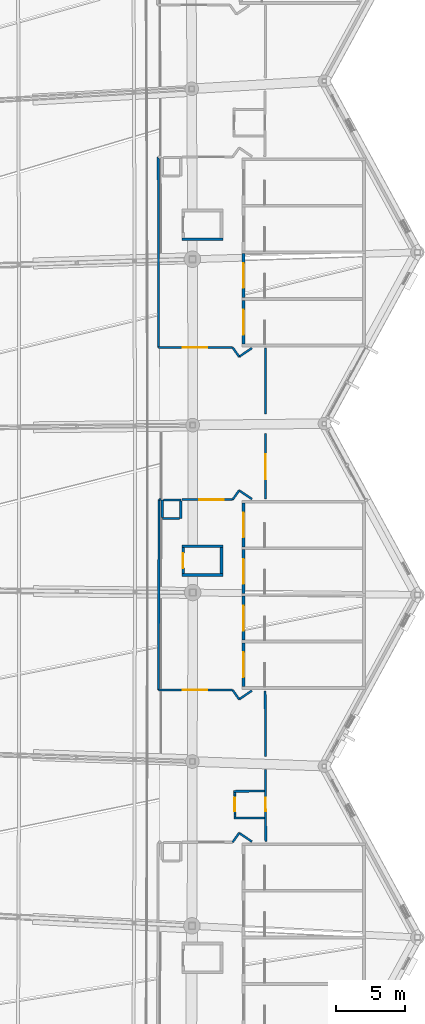
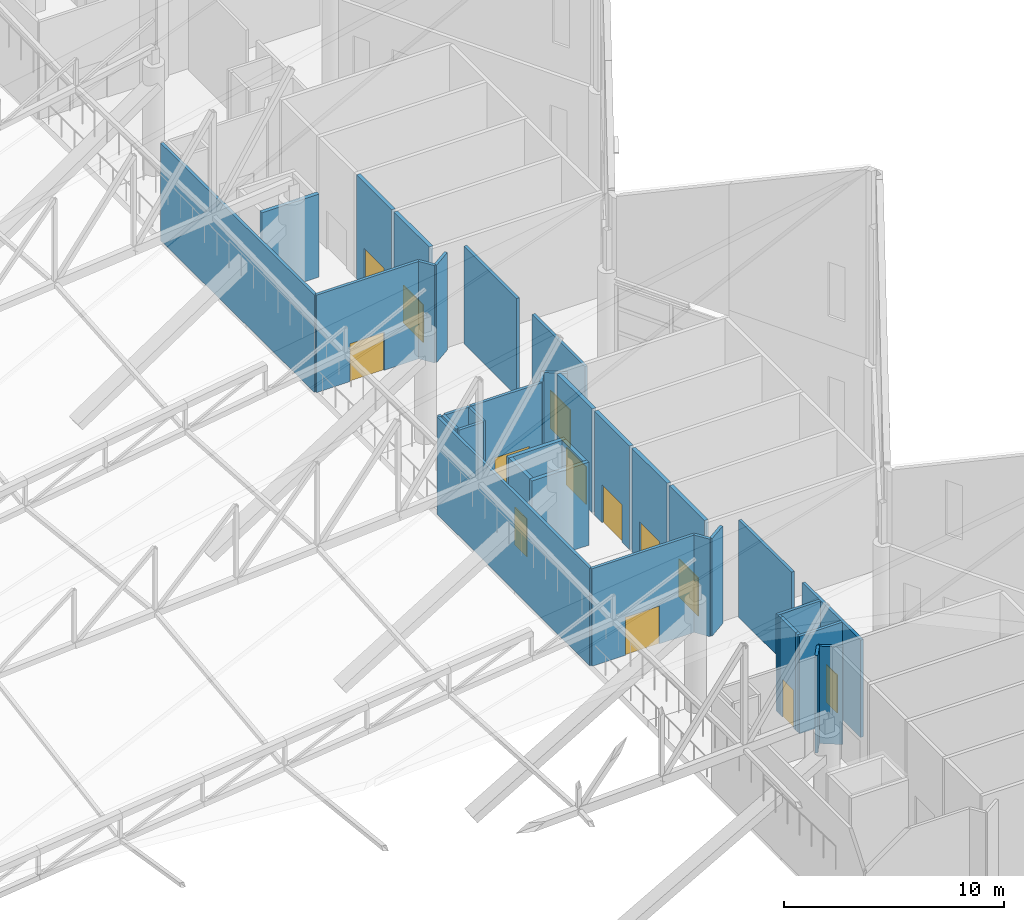
# One storey, part 258 of 344: 38 walls, 13 doors, 13 openings.
"""IFC4 building model written with IfcOpenShell, lengths in metres."""

import ifcopenshell
import ifcopenshell.guid

model = None  # the IFC model being written
_history = None  # IfcOwnerHistory: only IFC2X3 demands one
_inside = {}  # id of a spatial element -> (the spatial element, [elements in it])
_under = {}  # id of a project, library or spatial element -> (it, [spatial elements below it])
_declared = {}  # id of a project -> (the project, [libraries it declares])
_typed = {}  # id of a type object -> (the type object, [elements of that type])
_made_of = {}  # id of a material, layer set ... -> (it, [elements and type objects made of it])


def new_model(schema):
    """Start an empty IFC model of exactly this schema.

    Asked for "IFC4X3", IfcOpenShell would pick the latest addendum, in which some entities
    have other attributes; the version numbers below select the first issue.
    IFC2X3 requires an IfcOwnerHistory on every rooted entity: one is made here for all.
    """
    global model, _history
    if schema == "IFC4X3":
        model = ifcopenshell.file(schema_version=(4, 3, 0, 0))
    else:
        model = ifcopenshell.file(schema=schema)
    _inside.clear()
    _under.clear()
    _declared.clear()
    _typed.clear()
    _made_of.clear()
    _history = None
    if model.schema == "IFC2X3":
        org = make("IfcOrganization", Name="unknown")
        user = make(
            "IfcPersonAndOrganization",
            ThePerson=make("IfcPerson", FamilyName="unknown"),
            TheOrganization=org,
        )
        app = make(
            "IfcApplication",
            ApplicationDeveloper=org,
            Version="unknown",
            ApplicationFullName="unknown",
            ApplicationIdentifier="unknown",
        )
        _history = make(
            "IfcOwnerHistory",
            OwningUser=user,
            OwningApplication=app,
            ChangeAction="ADDED",
            CreationDate=0,
        )
    return model


def make(cls, **values):
    """One entity of the class cls with the attributes given. An attribute that is None is left unset."""
    return model.create_entity(
        cls, **{name: value for name, value in values.items() if value is not None}
    )


def rooted(cls, **values):
    """An entity with a GlobalId (a new one), such as an element, a storey or a relation."""
    return make(cls, GlobalId=ifcopenshell.guid.new(), OwnerHistory=_history, **values)


def si_unit(unit_type, name, prefix=None):
    """IfcSIUnit, for example si_unit("LENGTHUNIT", "METRE", prefix="MILLI")."""
    return make("IfcSIUnit", UnitType=unit_type, Prefix=prefix, Name=name)


def assignment(units):
    """IfcUnitAssignment: the units of a project."""
    return None if units is None else make("IfcUnitAssignment", Units=units)


def point(xyz):
    """IfcCartesianPoint."""
    return None if xyz is None else make("IfcCartesianPoint", Coordinates=xyz)


def direction(xyz):
    """IfcDirection."""
    return None if xyz is None else make("IfcDirection", DirectionRatios=xyz)


def frame(location, z_axis=None, x_axis=None):
    """IfcAxis2Placement3D, a coordinate frame: its origin and axes. An axis left out is left unset."""
    return make(
        "IfcAxis2Placement3D",
        Location=point(location),
        Axis=direction(z_axis),
        RefDirection=direction(x_axis),
    )


def frame_2d(location, x_axis=None):
    """IfcAxis2Placement2D, a coordinate frame in the plane: its origin and x axis."""
    return make(
        "IfcAxis2Placement2D", Location=point(location), RefDirection=direction(x_axis)
    )


def origin():
    """The frame at (0, 0, 0) with its axes left unset."""
    return frame((0.0, 0.0, 0.0))


def place(relative_to, where):
    """IfcLocalPlacement: puts the frame where relative to a parent placement (None: the world)."""
    return make(
        "IfcLocalPlacement", PlacementRelTo=relative_to, RelativePlacement=where
    )


def context(
    kind, dimensions, precision=None, world=None, true_north=None, identifier=None
):
    """IfcGeometricRepresentationContext, for example the 3D "Model" context."""
    return make(
        "IfcGeometricRepresentationContext",
        ContextIdentifier=identifier,
        ContextType=kind,
        CoordinateSpaceDimension=dimensions,
        Precision=precision,
        WorldCoordinateSystem=world,
        TrueNorth=true_north,
    )


def subcontext(parent, identifier, kind, view, scale=None):
    """IfcGeometricRepresentationSubContext, for example "Body" below "Model"."""
    return make(
        "IfcGeometricRepresentationSubContext",
        ContextIdentifier=identifier,
        ContextType=kind,
        ParentContext=parent,
        TargetScale=scale,
        TargetView=view,
    )


def project(units=None, contexts=None):
    """IfcProject with its units and contexts."""
    return rooted(
        "IfcProject",
        Name="project",
        RepresentationContexts=contexts,
        UnitsInContext=assignment(units),
    )


def spatial(cls, under=None, at=None, **own):
    """A site, building, storey or space (cls), placed at a placement, below another one or the project."""
    s = rooted(cls, ObjectPlacement=at, **own)
    if under is not None:
        _under.setdefault(under.id(), (under, []))[1].append(s)
    return s


def profile(cls, at=None, kind="AREA", **sizes):
    """A parametric profile (cls). Its sizes go by their IFC names, for example OverallWidth=200.0."""
    return make(cls, ProfileType=kind, Position=at, **sizes)


def rectangle(**sizes):
    """IfcRectangleProfileDef."""
    return profile("IfcRectangleProfileDef", **sizes)


def extrude(swept, where, along, depth):
    """IfcExtrudedAreaSolid: the profile swept, set in the frame where, extruded along a direction by depth."""
    return make(
        "IfcExtrudedAreaSolid",
        SweptArea=swept,
        Position=where,
        ExtrudedDirection=direction(along),
        Depth=depth,
    )


def shape(context_of_items, identifier, shape_type, items):
    """IfcShapeRepresentation: the items that make up one representation, for example the "Body"."""
    return make(
        "IfcShapeRepresentation",
        ContextOfItems=context_of_items,
        RepresentationIdentifier=identifier,
        RepresentationType=shape_type,
        Items=items,
    )


def material(Name=None, Category=None):
    """IfcMaterial."""
    return make("IfcMaterial", Name=Name, Category=Category)


def layer(
    of_material, thickness, ventilated=None, Name=None, Category=None, Priority=None
):
    """IfcMaterialLayer: one layer of a wall or slab, of a material (None: an air gap)."""
    return make(
        "IfcMaterialLayer",
        Material=of_material,
        LayerThickness=thickness,
        IsVentilated=ventilated,
        Name=Name,
        Category=Category,
        Priority=Priority,
    )


def layer_set(layers, Name=None):
    """IfcMaterialLayerSet."""
    return make("IfcMaterialLayerSet", MaterialLayers=layers, LayerSetName=Name)


def made_of(thing, what):
    """Note that an element or type object is made of a material, layer set ...; save() writes the relation."""
    if what is not None:
        _made_of.setdefault(what.id(), (what, []))[1].append(thing)
    return thing


def type_object(cls, material=None, **own):
    """A type object (cls), such as IfcWallType, which elements share."""
    return made_of(rooted(cls, **own), material)


def element(
    cls,
    number,
    at=None,
    inside=None,
    cuts=None,
    type_object=None,
    material=None,
    context=None,
    identifier="Body",
    shape_type=None,
    held_by="IfcProductDefinitionShape",
    body=None,
    shapes=None,
    **own,
):
    """One element of the class cls, such as IfcWall. Its Tag is "e" and its number.

    at: its placement. inside: the storey or other place that contains it. cuts: it is an
    opening in that element (IfcRelVoidsElement). A single representation is given by context,
    identifier, shape_type and body (its items); several are given by shapes. held_by: the class
    of the entity that holds the representations. save() writes the other relations.
    """
    e = rooted(cls, Tag="e%d" % number, ObjectPlacement=at, **own)
    if body is not None:
        shapes = [shape(context, identifier, shape_type, body)]
    if shapes is not None:
        e.Representation = make(held_by, Representations=shapes)
    if inside is not None:
        _inside.setdefault(inside.id(), (inside, []))[1].append(e)
    if cuts is not None:
        rooted(
            "IfcRelVoidsElement", RelatingBuildingElement=cuts, RelatedOpeningElement=e
        )
    if type_object is not None:
        _typed.setdefault(type_object.id(), (type_object, []))[1].append(e)
    return made_of(e, material)


def fill(opening, filler):
    """IfcRelFillsElement: the door or window that sits in an opening."""
    return rooted(
        "IfcRelFillsElement",
        RelatingOpeningElement=opening,
        RelatedBuildingElement=filler,
    )


def aggregate(whole, parts):
    """IfcRelAggregates: a whole, such as a stair, and the parts it consists of."""
    return rooted("IfcRelAggregates", RelatingObject=whole, RelatedObjects=parts)


def save(model, path):
    """Write the relations noted so far, then the file.

    IfcRelAggregates (storeys below a building ...), IfcRelContainedInSpatialStructure (elements
    in a storey), IfcRelDefinesByType, IfcRelAssociatesMaterial and IfcRelDeclares: one each for
    every whole, place, type object, material and project.
    """
    for whole, parts in _under.values():
        aggregate(whole, parts)
    for where, things in _inside.values():
        rooted(
            "IfcRelContainedInSpatialStructure",
            RelatedElements=things,
            RelatingStructure=where,
        )
    for kind, things in _typed.values():
        rooted("IfcRelDefinesByType", RelatedObjects=things, RelatingType=kind)
    for what, things in _made_of.values():
        rooted("IfcRelAssociatesMaterial", RelatedObjects=things, RelatingMaterial=what)
    for by, libraries in _declared.values():
        rooted("IfcRelDeclares", RelatingContext=by, RelatedDefinitions=libraries)
    model.write(path)


model = new_model("IFC4")

# Units and contexts
model_context = context("Model", 3, precision=1e-05, world=origin(), true_north=direction((0.0, 1.0)))
body_context = subcontext(model_context, "Body", "Model", "MODEL_VIEW")
ifc_project = project(units=[si_unit("LENGTHUNIT", "METRE"), si_unit("AREAUNIT", "SQUARE_METRE"), si_unit("VOLUMEUNIT", "CUBIC_METRE"), si_unit("PLANEANGLEUNIT", "RADIAN"), si_unit("MASSUNIT", "GRAM", prefix="KILO")], contexts=[model_context])

# Site, building, storey
site_placement = place(None, origin())
site = spatial("IfcSite", under=ifc_project, at=site_placement, CompositionType="ELEMENT")
building_placement = place(site_placement, origin())
building = spatial("IfcBuilding", under=site, at=building_placement, Name="Meseta Stadium", CompositionType="ELEMENT")
storey_placement = place(building_placement, frame((0.0, 0.0, 24.0)))
storey = spatial("IfcBuildingStorey", under=building, at=storey_placement, Name="L04", CompositionType="ELEMENT", Elevation=24.0)

# Wall, opening, door
ifc_material_1 = material(Name="Concrete C40/50", Category="concrete")
ifc_layer_1 = layer(ifc_material_1, 0.199951171875)
ifc_layer_set_1 = layer_set([ifc_layer_1], Name="Core shaft wall 200")
wall_type_1 = type_object("IfcWallType", Name="Core shaft wall 200", PredefinedType="SHEAR", material=ifc_layer_set_1)
wall_1_placement = place(storey_placement, frame((88.699951171875, -12.949951171875, 0.0), z_axis=(0.0, 0.0, 1.0), x_axis=(0.0, 1.0, 0.0)))
wall_1 = element("IfcWall", 1, at=wall_1_placement, inside=storey, type_object=wall_type_1, Name="Core 03 L04 stair A1 inner end wall", PredefinedType="SHEAR", context=body_context, shape_type="SweptSolid", body=[
    extrude(rectangle(XDim=3.199951171875, YDim=0.199951171875, at=frame_2d((1.60009765625, 0.0))), origin(), (0.0, 0.0, 1.0), 5.75),
])
opening_1_placement = place(wall_1_placement, frame((0.699951171875, 0.0, 0.0)))
opening_1 = element("IfcOpeningElement", 2, at=opening_1_placement, cuts=wall_1, Name="Opening D1668", PredefinedType="OPENING", context=body_context, shape_type="SweptSolid", body=[
    extrude(rectangle(XDim=1.800048828125, YDim=2.10009765625, at=frame_2d((0.89990234375, 1.050048828125))), frame((0.0, 0.10986328125, 0.0), z_axis=(0.0, -1.0, 0.0), x_axis=(1.0, 0.0, 0.0)), (0.0, 0.0, 1.0), 0.219970703125),
])
ifc_material_2 = material(Name="Steel", Category="steel")
door_type_1 = type_object("IfcDoorType", Name="Stair door 1800x2100", OperationType="DOUBLE_DOOR_SINGLE_SWING", PredefinedType="DOOR", material=ifc_material_2)
door_1_placement = place(opening_1_placement, origin())
door_1 = element("IfcDoor", 3, at=door_1_placement, inside=storey, type_object=door_type_1, Name="Stair A1 door 03 L04", OperationType="DOUBLE_DOOR_SINGLE_SWING", OverallHeight=2.10009765625, OverallWidth=1.800048828125, PredefinedType="DOOR", context=body_context, shape_type="SweptSolid", body=[
    extrude(rectangle(XDim=1.800048828125, YDim=2.10009765625, at=frame_2d((0.89990234375, 1.050048828125))), frame((0.0, 0.02490234375, 0.0), z_axis=(0.0, -1.0, 0.0), x_axis=(1.0, 0.0, 0.0)), (0.0, 0.0, 1.0), 0.050048828125),
])
fill(opening_1, door_1)

wall_2_placement = place(storey_placement, frame((88.699951171875, -9.550048828125, 0.0), z_axis=(0.0, 0.0, 1.0), x_axis=(0.0, 1.0, 0.0)))
wall_2 = element("IfcWall", 4, at=wall_2_placement, inside=storey, type_object=wall_type_1, Name="Core 03 L04 stair A2 inner end wall", PredefinedType="SHEAR", context=body_context, shape_type="SweptSolid", body=[
    extrude(rectangle(XDim=3.199951171875, YDim=0.199951171875, at=frame_2d((1.60009765625, 0.0))), origin(), (0.0, 0.0, 1.0), 5.75),
])
opening_2_placement = place(wall_2_placement, frame((0.699951171875, 0.0, 0.0)))
opening_2 = element("IfcOpeningElement", 5, at=opening_2_placement, cuts=wall_2, Name="Opening D1669", PredefinedType="OPENING", context=body_context, shape_type="SweptSolid", body=[
    extrude(rectangle(XDim=1.800048828125, YDim=2.10009765625, at=frame_2d((0.89990234375, 1.050048828125))), frame((0.0, 0.10986328125, 0.0), z_axis=(0.0, -1.0, 0.0), x_axis=(1.0, 0.0, 0.0)), (0.0, 0.0, 1.0), 0.219970703125),
])
door_2_placement = place(opening_2_placement, origin())
door_2 = element("IfcDoor", 6, at=door_2_placement, inside=storey, type_object=door_type_1, Name="Stair A2 door 03 L04", OperationType="DOUBLE_DOOR_SINGLE_SWING", OverallHeight=2.10009765625, OverallWidth=1.800048828125, PredefinedType="DOOR", context=body_context, shape_type="SweptSolid", body=[
    extrude(rectangle(XDim=1.800048828125, YDim=2.10009765625, at=frame_2d((0.89990234375, 1.050048828125))), frame((0.0, 0.02490234375, 0.0), z_axis=(0.0, -1.0, 0.0), x_axis=(1.0, 0.0, 0.0)), (0.0, 0.0, 1.0), 0.050048828125),
])
fill(opening_2, door_2)

wall_3_placement = place(storey_placement, frame((88.699951171875, -6.14990234375, 0.0), z_axis=(0.0, 0.0, 1.0), x_axis=(0.0, 1.0, 0.0)))
wall_3 = element("IfcWall", 7, at=wall_3_placement, inside=storey, type_object=wall_type_1, Name="Core 03 L04 stair B1 inner end wall", PredefinedType="SHEAR", context=body_context, shape_type="SweptSolid", body=[
    extrude(rectangle(XDim=3.199951171875, YDim=0.199951171875, at=frame_2d((1.60009765625, 0.0))), origin(), (0.0, 0.0, 1.0), 5.75),
])
opening_3_placement = place(wall_3_placement, frame((0.699951171875, 0.0, 0.0)))
opening_3 = element("IfcOpeningElement", 8, at=opening_3_placement, cuts=wall_3, Name="Opening D1670", PredefinedType="OPENING", context=body_context, shape_type="SweptSolid", body=[
    extrude(rectangle(XDim=1.800048828125, YDim=2.10009765625, at=frame_2d((0.89990234375, 1.050048828125))), frame((0.0, 0.10986328125, 0.0), z_axis=(0.0, -1.0, 0.0), x_axis=(1.0, 0.0, 0.0)), (0.0, 0.0, 1.0), 0.219970703125),
])
door_3_placement = place(opening_3_placement, origin())
door_3 = element("IfcDoor", 9, at=door_3_placement, inside=storey, type_object=door_type_1, Name="Stair B1 door 03 L04", OperationType="DOUBLE_DOOR_SINGLE_SWING", OverallHeight=2.10009765625, OverallWidth=1.800048828125, PredefinedType="DOOR", context=body_context, shape_type="SweptSolid", body=[
    extrude(rectangle(XDim=1.800048828125, YDim=2.10009765625, at=frame_2d((0.89990234375, 1.050048828125))), frame((0.0, 0.02490234375, 0.0), z_axis=(0.0, -1.0, 0.0), x_axis=(1.0, 0.0, 0.0)), (0.0, 0.0, 1.0), 0.050048828125),
])
fill(opening_3, door_3)

wall_4_placement = place(storey_placement, frame((88.699951171875, -2.75, 0.0), z_axis=(0.0, 0.0, 1.0), x_axis=(0.0, 1.0, 0.0)))
wall_4 = element("IfcWall", 10, at=wall_4_placement, inside=storey, type_object=wall_type_1, Name="Core 03 L04 stair B2 inner end wall", PredefinedType="SHEAR", context=body_context, shape_type="SweptSolid", body=[
    extrude(rectangle(XDim=3.199951171875, YDim=0.199951171875, at=frame_2d((1.60009765625, 0.0))), origin(), (0.0, 0.0, 1.0), 5.75),
])
opening_4_placement = place(wall_4_placement, frame((0.699951171875, 0.0, 0.0)))
opening_4 = element("IfcOpeningElement", 11, at=opening_4_placement, cuts=wall_4, Name="Opening D1671", PredefinedType="OPENING", context=body_context, shape_type="SweptSolid", body=[
    extrude(rectangle(XDim=1.800048828125, YDim=2.10009765625, at=frame_2d((0.89990234375, 1.050048828125))), frame((0.0, 0.10986328125, 0.0), z_axis=(0.0, -1.0, 0.0), x_axis=(1.0, 0.0, 0.0)), (0.0, 0.0, 1.0), 0.219970703125),
])
door_4_placement = place(opening_4_placement, origin())
door_4 = element("IfcDoor", 12, at=door_4_placement, inside=storey, type_object=door_type_1, Name="Stair B2 door 03 L04", OperationType="DOUBLE_DOOR_SINGLE_SWING", OverallHeight=2.10009765625, OverallWidth=1.800048828125, PredefinedType="DOOR", context=body_context, shape_type="SweptSolid", body=[
    extrude(rectangle(XDim=1.800048828125, YDim=2.10009765625, at=frame_2d((0.89990234375, 1.050048828125))), frame((0.0, 0.02490234375, 0.0), z_axis=(0.0, -1.0, 0.0), x_axis=(1.0, 0.0, 0.0)), (0.0, 0.0, 1.0), 0.050048828125),
])
fill(opening_4, door_4)

# Walls
for number, where, z_axis, x_axis, name in (
    (13, (87.199951171875, -4.800048828125, 0.0), (0.0, 0.0, 1.0), (-1.0, 0.0, 0.0), "Core 03 L04 lift shaft wall left"),
    (14, (87.199951171875, -2.699951171875, 0.0), (0.0, 0.0, 1.0), (-1.0, 0.0, 0.0), "Core 03 L04 lift shaft wall right"),
):
    element("IfcWall", number, at=place(storey_placement, frame(where, z_axis=z_axis, x_axis=x_axis)), inside=storey, type_object=wall_type_1, Name=name, PredefinedType="SHEAR", context=body_context, shape_type="SweptSolid", body=[
        extrude(rectangle(XDim=3.0, YDim=0.199951171875, at=frame_2d((1.5, 0.0))), origin(), (0.0, 0.0, 1.0), 4.60009765625),
    ])
wall_5_placement = place(storey_placement, frame((87.10009765625, -4.699951171875, 0.0), z_axis=(0.0, 0.0, 1.0), x_axis=(0.0, 1.0, 0.0)))
element("IfcWall", 15, at=wall_5_placement, inside=storey, type_object=wall_type_1, Name="Core 03 L04 lift shaft back wall", PredefinedType="SHEAR", context=body_context, shape_type="SweptSolid", body=[
    extrude(rectangle(XDim=1.89990234375, YDim=0.199951171875, at=frame_2d((0.949951171875, 0.0))), origin(), (0.0, 0.0, 1.0), 4.60009765625),
])

# Wall, opening, door
wall_6_placement = place(storey_placement, frame((84.300048828125, -4.699951171875, 0.0), z_axis=(0.0, 0.0, 1.0), x_axis=(0.0, 1.0, 0.0)))
wall_6 = element("IfcWall", 16, at=wall_6_placement, inside=storey, type_object=wall_type_1, Name="Core 03 L04 lift shaft front wall", PredefinedType="SHEAR", context=body_context, shape_type="SweptSolid", body=[
    extrude(rectangle(XDim=1.89990234375, YDim=0.199951171875, at=frame_2d((0.949951171875, 0.0))), origin(), (0.0, 0.0, 1.0), 4.60009765625),
])
opening_5_placement = place(wall_6_placement, frame((0.39990234375, 0.0, 0.0)))
opening_5 = element("IfcOpeningElement", 17, at=opening_5_placement, cuts=wall_6, Name="Opening LD18", PredefinedType="OPENING", context=body_context, shape_type="SweptSolid", body=[
    extrude(rectangle(XDim=1.10009765625, YDim=2.10009765625, at=frame_2d((0.550048828125, 1.050048828125))), frame((0.0, 0.10986328125, 0.0), z_axis=(0.0, -1.0, 0.0), x_axis=(1.0, 0.0, 0.0)), (0.0, 0.0, 1.0), 0.219970703125),
])
ifc_material_3 = material(Name="Steel", Category="steel")
door_type_2 = type_object("IfcDoorType", Name="Lift landing door 1100x2100", OperationType="SLIDING_TO_LEFT", PredefinedType="DOOR", material=ifc_material_3)
door_5_placement = place(opening_5_placement, origin())
door_5 = element("IfcDoor", 18, at=door_5_placement, inside=storey, type_object=door_type_2, Name="Lift landing door LD18", OperationType="SLIDING_TO_RIGHT", OverallHeight=2.10009765625, OverallWidth=1.10009765625, PredefinedType="DOOR", context=body_context, shape_type="SweptSolid", body=[
    extrude(rectangle(XDim=1.10009765625, YDim=2.10009765625, at=frame_2d((0.550048828125, 1.050048828125))), frame((0.0, 0.02490234375, 0.0), z_axis=(0.0, -1.0, 0.0), x_axis=(1.0, 0.0, 0.0)), (0.0, 0.0, 1.0), 0.050048828125),
])
fill(opening_5, door_5)

wall_7_placement = place(storey_placement, frame((88.699951171875, 12.050048828125, 0.0), z_axis=(0.0, 0.0, 1.0), x_axis=(0.0, 1.0, 0.0)))
wall_7 = element("IfcWall", 19, at=wall_7_placement, inside=storey, type_object=wall_type_1, Name="Core 04 L04 stair A1 inner end wall", PredefinedType="SHEAR", context=body_context, shape_type="SweptSolid", body=[
    extrude(rectangle(XDim=3.199951171875, YDim=0.199951171875, at=frame_2d((1.60009765625, 0.0))), origin(), (0.0, 0.0, 1.0), 5.75),
])
opening_6_placement = place(wall_7_placement, frame((0.699951171875, 0.0, 0.0)))
opening_6 = element("IfcOpeningElement", 20, at=opening_6_placement, cuts=wall_7, Name="Opening D1672", PredefinedType="OPENING", context=body_context, shape_type="SweptSolid", body=[
    extrude(rectangle(XDim=1.800048828125, YDim=2.10009765625, at=frame_2d((0.89990234375, 1.050048828125))), frame((0.0, 0.10986328125, 0.0), z_axis=(0.0, -1.0, 0.0), x_axis=(1.0, 0.0, 0.0)), (0.0, 0.0, 1.0), 0.219970703125),
])
door_6_placement = place(opening_6_placement, origin())
door_6 = element("IfcDoor", 21, at=door_6_placement, inside=storey, type_object=door_type_1, Name="Stair A1 door 04 L04", OperationType="DOUBLE_DOOR_SINGLE_SWING", OverallHeight=2.10009765625, OverallWidth=1.800048828125, PredefinedType="DOOR", context=body_context, shape_type="SweptSolid", body=[
    extrude(rectangle(XDim=1.800048828125, YDim=2.10009765625, at=frame_2d((0.89990234375, 1.050048828125))), frame((0.0, 0.02490234375, 0.0), z_axis=(0.0, -1.0, 0.0), x_axis=(1.0, 0.0, 0.0)), (0.0, 0.0, 1.0), 0.050048828125),
])
fill(opening_6, door_6)

wall_8_placement = place(storey_placement, frame((88.699951171875, 15.449951171875, 0.0), z_axis=(0.0, 0.0, 1.0), x_axis=(0.0, 1.0, 0.0)))
wall_8 = element("IfcWall", 22, at=wall_8_placement, inside=storey, type_object=wall_type_1, Name="Core 04 L04 stair A2 inner end wall", PredefinedType="SHEAR", context=body_context, shape_type="SweptSolid", body=[
    extrude(rectangle(XDim=3.199951171875, YDim=0.199951171875, at=frame_2d((1.60009765625, 0.0))), origin(), (0.0, 0.0, 1.0), 5.75),
])
opening_7_placement = place(wall_8_placement, frame((0.699951171875, 0.0, 0.0)))
opening_7 = element("IfcOpeningElement", 23, at=opening_7_placement, cuts=wall_8, Name="Opening D1673", PredefinedType="OPENING", context=body_context, shape_type="SweptSolid", body=[
    extrude(rectangle(XDim=1.800048828125, YDim=2.10009765625, at=frame_2d((0.89990234375, 1.050048828125))), frame((0.0, 0.10986328125, 0.0), z_axis=(0.0, -1.0, 0.0), x_axis=(1.0, 0.0, 0.0)), (0.0, 0.0, 1.0), 0.219970703125),
])
door_7_placement = place(opening_7_placement, origin())
door_7 = element("IfcDoor", 24, at=door_7_placement, inside=storey, type_object=door_type_1, Name="Stair A2 door 04 L04", OperationType="DOUBLE_DOOR_SINGLE_SWING", OverallHeight=2.10009765625, OverallWidth=1.800048828125, PredefinedType="DOOR", context=body_context, shape_type="SweptSolid", body=[
    extrude(rectangle(XDim=1.800048828125, YDim=2.10009765625, at=frame_2d((0.89990234375, 1.050048828125))), frame((0.0, 0.02490234375, 0.0), z_axis=(0.0, -1.0, 0.0), x_axis=(1.0, 0.0, 0.0)), (0.0, 0.0, 1.0), 0.050048828125),
])
fill(opening_7, door_7)

# Wall
wall_9_placement = place(storey_placement, frame((87.199951171875, 19.699951171875, 0.0), z_axis=(0.0, 0.0, 1.0), x_axis=(-1.0, 0.0, 0.0)))
element("IfcWall", 25, at=wall_9_placement, inside=storey, type_object=wall_type_1, Name="Core 04 L04 lift shaft wall left", PredefinedType="SHEAR", context=body_context, shape_type="SweptSolid", body=[
    extrude(rectangle(XDim=3.0, YDim=0.199951171875, at=frame_2d((1.5, 0.0))), origin(), (0.0, 0.0, 1.0), 4.60009765625),
])

# Wall, opening, door
ifc_material_4 = material(Name="Masonry blockwork", Category="masonry")
ifc_layer_2 = layer(ifc_material_4, 0.14990234375)
ifc_layer_set_2 = layer_set([ifc_layer_2], Name="Partition 150")
wall_type_2 = type_object("IfcWallType", Name="Partition 150", PredefinedType="PARTITIONING", material=ifc_layer_set_2)
wall_10_placement = place(storey_placement, frame((90.330322265625, -24.25, 0.0), z_axis=(0.0, 0.0, 1.0), x_axis=(-0.003805253437, 0.999992759997, 0.0)))
wall_10 = element("IfcWall", 26, at=wall_10_placement, inside=storey, type_object=wall_type_2, Name="Partition L04 L04-cell01-1-0", PredefinedType="PARTITIONING", context=body_context, shape_type="SweptSolid", body=[
    extrude(rectangle(XDim=5.260986328125, YDim=0.14990234375, at=frame_2d((2.63037109375, 0.0))), origin(), (0.0, 0.0, 1.0), 5.39990234375),
])
opening_8_placement = place(wall_10_placement, frame((2.199951171875, 0.0, 0.0)))
opening_8 = element("IfcOpeningElement", 27, at=opening_8_placement, cuts=wall_10, Name="Opening D1678", PredefinedType="OPENING", context=body_context, shape_type="SweptSolid", body=[
    extrude(rectangle(XDim=1.0, YDim=2.10009765625, at=frame_2d((0.5, 1.050048828125))), frame((0.0, 0.0849609375, 0.0), z_axis=(0.0, -1.0, 0.0), x_axis=(1.0, 0.0, 0.0)), (0.0, 0.0, 1.0), 0.169921875),
])
ifc_material_5 = material(Name="Steel", Category="steel")
door_type_3 = type_object("IfcDoorType", Name="Fire door 1000x2100 EI2 60", OperationType="NOTDEFINED", PredefinedType="DOOR", material=ifc_material_5)
door_8_placement = place(opening_8_placement, origin())
door_8 = element("IfcDoor", 28, at=door_8_placement, inside=storey, type_object=door_type_3, Name="Room door L04 L04-cell01-1-0", OperationType="SINGLE_SWING_LEFT", OverallHeight=2.10009765625, OverallWidth=1.0, PredefinedType="DOOR", context=body_context, shape_type="SweptSolid", body=[
    extrude(rectangle(XDim=1.0, YDim=2.10009765625, at=frame_2d((0.5, 1.050048828125))), frame((0.0, 0.02490234375, 0.0), z_axis=(0.0, -1.0, 0.0), x_axis=(1.0, 0.0, 0.0)), (0.0, 0.0, 1.0), 0.050048828125),
])
fill(opening_8, door_8)

# Wall
wall_11_placement = place(storey_placement, frame((90.306640625, -18.03271484375, 0.0), z_axis=(0.0, 0.0, 1.0), x_axis=(-0.003777410518, 0.999992865559, 0.0)))
element("IfcWall", 29, at=wall_11_placement, inside=storey, type_object=wall_type_2, Name="Partition L04 L04-cell01-1-0", PredefinedType="PARTITIONING", context=body_context, shape_type="SweptSolid", body=[
    extrude(rectangle(XDim=4.78271484375, YDim=0.14990234375, at=frame_2d((2.391357421875, 0.0))), origin(), (0.0, 0.0, 1.0), 5.39990234375),
])

# Wall, opening, door
wall_12_placement = place(storey_placement, frame((90.3115234375, 0.75, 0.0), z_axis=(0.0, 0.0, 1.0), x_axis=(0.001276160268, 0.999999185707, 0.0)))
wall_12 = element("IfcWall", 30, at=wall_12_placement, inside=storey, type_object=wall_type_2, Name="Partition L04 L04-cell02-1-0", PredefinedType="PARTITIONING", context=body_context, shape_type="SweptSolid", body=[
    extrude(rectangle(XDim=4.78271484375, YDim=0.14990234375, at=frame_2d((2.391357421875, 0.0))), origin(), (0.0, 0.0, 1.0), 5.39990234375),
])
opening_9_placement = place(wall_12_placement, frame((1.449951171875, 0.0, 0.0)))
opening_9 = element("IfcOpeningElement", 31, at=opening_9_placement, cuts=wall_12, Name="Opening D1677", PredefinedType="OPENING", context=body_context, shape_type="SweptSolid", body=[
    extrude(rectangle(XDim=1.800048828125, YDim=2.10009765625, at=frame_2d((0.89990234375, 1.050048828125))), frame((0.0, 0.0849609375, 0.0), z_axis=(0.0, -1.0, 0.0), x_axis=(1.0, 0.0, 0.0)), (0.0, 0.0, 1.0), 0.169921875),
])
ifc_material_6 = material(Name="Timber", Category="wood")
door_type_4 = type_object("IfcDoorType", Name="Room double door 1800x2100", OperationType="DOUBLE_DOOR_SINGLE_SWING", PredefinedType="DOOR", material=ifc_material_6)
door_9_placement = place(opening_9_placement, origin())
door_9 = element("IfcDoor", 32, at=door_9_placement, inside=storey, type_object=door_type_4, Name="Room door L04 L04-cell02-1-0", OperationType="DOUBLE_DOOR_SINGLE_SWING", OverallHeight=2.10009765625, OverallWidth=1.800048828125, PredefinedType="DOOR", context=body_context, shape_type="SweptSolid", body=[
    extrude(rectangle(XDim=1.800048828125, YDim=2.10009765625, at=frame_2d((0.89990234375, 1.050048828125))), frame((0.0, 0.02490234375, 0.0), z_axis=(0.0, -1.0, 0.0), x_axis=(1.0, 0.0, 0.0)), (0.0, 0.0, 1.0), 0.050048828125),
])
fill(opening_9, door_9)

# Walls
wall_13_placement = place(storey_placement, frame((90.319580078125, 6.96728515625, 0.0), z_axis=(0.0, 0.0, 1.0), x_axis=(0.001225113935, 0.999999249548, 0.0)))
element("IfcWall", 33, at=wall_13_placement, inside=storey, type_object=wall_type_2, Name="Partition L04 L04-cell02-1-0", PredefinedType="PARTITIONING", context=body_context, shape_type="SweptSolid", body=[
    extrude(rectangle(XDim=4.78271484375, YDim=0.14990234375, at=frame_2d((2.391357421875, 0.0))), origin(), (0.0, 0.0, 1.0), 5.39990234375),
])
wall_14_placement = place(storey_placement, frame((89.319580078125, -24.260498046875, 0.0), z_axis=(0.0, 0.0, 1.0), x_axis=(-0.826918447352, 0.562321866398, 0.0)))
element("IfcWall", 34, at=wall_14_placement, inside=storey, type_object=wall_type_2, Name="Stair vestibule wall L04 core 02", PredefinedType="PARTITIONING", context=body_context, shape_type="SweptSolid", body=[
    extrude(rectangle(XDim=1.12744140625, YDim=0.14990234375, at=frame_2d((0.563720703125, 0.0))), origin(), (0.0, 0.0, 1.0), 5.39990234375),
])
wall_15_placement = place(storey_placement, frame((88.38720703125, -23.62646484375, 0.0), z_axis=(0.0, 0.0, 1.0), x_axis=(-0.575908835733, -0.81751392216, 0.0)))
element("IfcWall", 35, at=wall_15_placement, inside=storey, type_object=wall_type_2, Name="Stair vestibule wall L04 core 02", PredefinedType="PARTITIONING", context=body_context, shape_type="SweptSolid", body=[
    extrude(rectangle(XDim=0.82958984375, YDim=0.14990234375, at=frame_2d((0.414794921875, 0.0))), origin(), (0.0, 0.0, 1.0), 5.39990234375),
])
wall_16_placement = place(storey_placement, frame((84.125, -0.675048828125, 0.0), z_axis=(0.0, 0.0, 1.0), x_axis=(0.0, 1.0, 0.0)))
element("IfcWall", 36, at=wall_16_placement, inside=storey, type_object=wall_type_2, Name="Pressurisation shaft wall L04 core 03", PredefinedType="PARTITIONING", context=body_context, shape_type="SweptSolid", body=[
    extrude(rectangle(XDim=1.275146484375, YDim=0.14990234375, at=frame_2d((0.6376953125, 0.0))), origin(), (0.0, 0.0, 1.0), 5.39990234375),
])
wall_17_placement = place(storey_placement, frame((84.125, 0.675048828125, 0.0), z_axis=(0.0, 0.0, 1.0), x_axis=(-1.0, 0.0, 0.0)))
element("IfcWall", 37, at=wall_17_placement, inside=storey, type_object=wall_type_2, Name="Pressurisation shaft wall L04 core 03", PredefinedType="PARTITIONING", context=body_context, shape_type="SweptSolid", body=[
    extrude(rectangle(XDim=1.27490234375, YDim=0.14990234375, at=frame_2d((0.637451171875, 0.0))), origin(), (0.0, 0.0, 1.0), 5.39990234375),
])
for number, where, z_axis, x_axis, name in (
    (38, (82.77490234375, 0.675048828125, 0.0), (0.0, 0.0, 1.0), (0.0, -1.0, 0.0), "Pressurisation shaft wall L04 core 03"),
    (39, (82.77490234375, -0.675048828125, 0.0), (0.0, 0.0, 1.0), (1.0, 0.0, 0.0), "Pressurisation shaft wall L04 core 03"),
):
    element("IfcWall", number, at=place(storey_placement, frame(where, z_axis=z_axis, x_axis=x_axis)), inside=storey, type_object=wall_type_2, Name=name, PredefinedType="PARTITIONING", context=body_context, shape_type="SweptSolid", body=[
        extrude(rectangle(XDim=1.275146484375, YDim=0.14990234375, at=frame_2d((0.6376953125, 0.0))), origin(), (0.0, 0.0, 1.0), 5.39990234375),
    ])
wall_18_placement = place(storey_placement, frame((82.68994140625, 0.695068359375, 0.0), z_axis=(0.0, 0.0, 1.0), x_axis=(-1.0, 0.0, 0.0)))
element("IfcWall", 40, at=wall_18_placement, inside=storey, type_object=wall_type_2, Name="Stair vestibule wall L04 core 03", PredefinedType="PARTITIONING", context=body_context, shape_type="SweptSolid", body=[
    extrude(rectangle(XDim=0.1650390625, YDim=0.14990234375, at=frame_2d((0.08251953125, 0.0))), origin(), (0.0, 0.0, 1.0), 5.39990234375),
])
wall_19_placement = place(storey_placement, frame((82.52490234375, 0.695068359375, 0.0), z_axis=(0.0, 0.0, 1.0), x_axis=(-0.000843673901, -0.999999644107, 0.0)))
element("IfcWall", 41, at=wall_19_placement, inside=storey, type_object=wall_type_2, Name="Stair vestibule wall L04 core 03", PredefinedType="PARTITIONING", context=body_context, shape_type="SweptSolid", body=[
    extrude(rectangle(XDim=13.89013671875, YDim=0.14990234375, at=frame_2d((6.945068359375, 0.0))), origin(), (0.0, 0.0, 1.0), 5.39990234375),
])

# Wall, opening, door
wall_20_placement = place(storey_placement, frame((82.51318359375, -13.195068359375, 0.0), z_axis=(0.0, 0.0, 1.0), x_axis=(1.0, 0.0, 0.0)))
wall_20 = element("IfcWall", 42, at=wall_20_placement, inside=storey, type_object=wall_type_2, Name="Stair vestibule wall L04 core 03", PredefinedType="PARTITIONING", context=body_context, shape_type="SweptSolid", body=[
    extrude(rectangle(XDim=5.39599609375, YDim=0.14990234375, at=frame_2d((2.697998046875, 0.0))), origin(), (0.0, 0.0, 1.0), 5.39990234375),
])
opening_10_placement = place(wall_20_placement, frame((1.75, 0.0, 0.0)))
opening_10 = element("IfcOpeningElement", 43, at=opening_10_placement, cuts=wall_20, Name="Opening D1643", PredefinedType="OPENING", context=body_context, shape_type="SweptSolid", body=[
    extrude(rectangle(XDim=1.800048828125, YDim=2.10009765625, at=frame_2d((0.89990234375, 1.050048828125))), frame((0.0, 0.0849609375, 0.0), z_axis=(0.0, -1.0, 0.0), x_axis=(1.0, 0.0, 0.0)), (0.0, 0.0, 1.0), 0.169921875),
])
ifc_material_7 = material(Name="Steel", Category="steel")
door_type_5 = type_object("IfcDoorType", Name="Fire double door 1800x2100 EI2 60", OperationType="DOUBLE_DOOR_SINGLE_SWING", PredefinedType="DOOR", material=ifc_material_7)
door_10_placement = place(opening_10_placement, origin())
door_10 = element("IfcDoor", 44, at=door_10_placement, inside=storey, type_object=door_type_5, Name="Stair vestibule door L04 core 03", OperationType="DOUBLE_DOOR_SINGLE_SWING", OverallHeight=2.10009765625, OverallWidth=1.800048828125, PredefinedType="DOOR", context=body_context, shape_type="SweptSolid", body=[
    extrude(rectangle(XDim=1.800048828125, YDim=2.10009765625, at=frame_2d((0.89990234375, 1.050048828125))), frame((0.0, 0.02490234375, 0.0), z_axis=(0.0, -1.0, 0.0), x_axis=(1.0, 0.0, 0.0)), (0.0, 0.0, 1.0), 0.050048828125),
])
fill(opening_10, door_10)

# Walls
wall_21_placement = place(storey_placement, frame((87.9091796875, -13.195068359375, 0.0), z_axis=(0.0, 0.0, 1.0), x_axis=(0.575573582652, -0.81774999294, 0.0)))
element("IfcWall", 45, at=wall_21_placement, inside=storey, type_object=wall_type_2, Name="Stair vestibule wall L04 core 03", PredefinedType="PARTITIONING", context=body_context, shape_type="SweptSolid", body=[
    extrude(rectangle(XDim=0.82958984375, YDim=0.14990234375, at=frame_2d((0.414794921875, 0.0))), origin(), (0.0, 0.0, 1.0), 5.39990234375),
])
for number, where, z_axis, x_axis, name in (
    (46, (88.38671875, -13.87353515625, 0.0), (0.0, 0.0, 1.0), (0.827055308354, 0.562120553728, 0.0), "Stair vestibule wall L04 core 03"),
    (47, (89.319580078125, 0.739501953125, 0.0), (0.0, 0.0, 1.0), (-0.827055308354, 0.562120553728, 0.0), "Stair vestibule wall L04 core 03"),
):
    element("IfcWall", number, at=place(storey_placement, frame(where, z_axis=z_axis, x_axis=x_axis)), inside=storey, type_object=wall_type_2, Name=name, PredefinedType="PARTITIONING", context=body_context, shape_type="SweptSolid", body=[
        extrude(rectangle(XDim=1.1279296875, YDim=0.14990234375, at=frame_2d((0.56396484375, 0.0))), origin(), (0.0, 0.0, 1.0), 5.39990234375),
    ])
wall_22_placement = place(storey_placement, frame((88.38671875, 1.37353515625, 0.0), z_axis=(0.0, 0.0, 1.0), x_axis=(-0.575376756214, -0.817888493872, 0.0)))
element("IfcWall", 48, at=wall_22_placement, inside=storey, type_object=wall_type_2, Name="Stair vestibule wall L04 core 03", PredefinedType="PARTITIONING", context=body_context, shape_type="SweptSolid", body=[
    extrude(rectangle(XDim=0.82958984375, YDim=0.14990234375, at=frame_2d((0.414794921875, 0.0))), origin(), (0.0, 0.0, 1.0), 5.39990234375),
])

# Wall, opening, door
wall_23_placement = place(storey_placement, frame((87.909423828125, 0.695068359375, 0.0), z_axis=(0.0, 0.0, 1.0), x_axis=(-1.0, 0.0, 0.0)))
wall_23 = element("IfcWall", 49, at=wall_23_placement, inside=storey, type_object=wall_type_2, Name="Stair vestibule wall L04 core 03", PredefinedType="PARTITIONING", context=body_context, shape_type="SweptSolid", body=[
    extrude(rectangle(XDim=3.70361328125, YDim=0.14990234375, at=frame_2d((1.851806640625, 0.0))), origin(), (0.0, 0.0, 1.0), 5.39990234375),
])
opening_11_placement = place(wall_23_placement, frame((0.64990234375, 0.0, 0.0)))
opening_11 = element("IfcOpeningElement", 50, at=opening_11_placement, cuts=wall_23, Name="Opening D1650", PredefinedType="OPENING", context=body_context, shape_type="SweptSolid", body=[
    extrude(rectangle(XDim=1.800048828125, YDim=2.10009765625, at=frame_2d((0.89990234375, 1.050048828125))), frame((0.0, 0.0849609375, 0.0), z_axis=(0.0, -1.0, 0.0), x_axis=(1.0, 0.0, 0.0)), (0.0, 0.0, 1.0), 0.169921875),
])
door_11_placement = place(opening_11_placement, origin())
door_11 = element("IfcDoor", 51, at=door_11_placement, inside=storey, type_object=door_type_5, Name="Stair vestibule door L04 core 03", OperationType="DOUBLE_DOOR_SINGLE_SWING", OverallHeight=2.10009765625, OverallWidth=1.800048828125, PredefinedType="DOOR", context=body_context, shape_type="SweptSolid", body=[
    extrude(rectangle(XDim=1.800048828125, YDim=2.10009765625, at=frame_2d((0.89990234375, 1.050048828125))), frame((0.0, 0.02490234375, 0.0), z_axis=(0.0, -1.0, 0.0), x_axis=(1.0, 0.0, 0.0)), (0.0, 0.0, 1.0), 0.050048828125),
])
fill(opening_11, door_11)

# Wall
wall_24_placement = place(storey_placement, frame((82.48046875, 25.695068359375, 0.0), z_axis=(0.0, 0.0, 1.0), x_axis=(0.002531014497, -0.999996796978, 0.0)))
element("IfcWall", 52, at=wall_24_placement, inside=storey, type_object=wall_type_2, Name="Stair vestibule wall L04 core 04", PredefinedType="PARTITIONING", context=body_context, shape_type="SweptSolid", body=[
    extrude(rectangle(XDim=13.89013671875, YDim=0.14990234375, at=frame_2d((6.945068359375, 0.0))), origin(), (0.0, 0.0, 1.0), 5.39990234375),
])

# Wall, opening, door
wall_25_placement = place(storey_placement, frame((82.515625, 11.804931640625, 0.0), z_axis=(0.0, 0.0, 1.0), x_axis=(1.0, 0.0, 0.0)))
wall_25 = element("IfcWall", 53, at=wall_25_placement, inside=storey, type_object=wall_type_2, Name="Stair vestibule wall L04 core 04", PredefinedType="PARTITIONING", context=body_context, shape_type="SweptSolid", body=[
    extrude(rectangle(XDim=5.3935546875, YDim=0.14990234375, at=frame_2d((2.69677734375, 0.0))), origin(), (0.0, 0.0, 1.0), 5.39990234375),
])
opening_12_placement = place(wall_25_placement, frame((1.75, 0.0, 0.0)))
opening_12 = element("IfcOpeningElement", 54, at=opening_12_placement, cuts=wall_25, Name="Opening D1644", PredefinedType="OPENING", context=body_context, shape_type="SweptSolid", body=[
    extrude(rectangle(XDim=1.800048828125, YDim=2.10009765625, at=frame_2d((0.89990234375, 1.050048828125))), frame((0.0, 0.0849609375, 0.0), z_axis=(0.0, -1.0, 0.0), x_axis=(1.0, 0.0, 0.0)), (0.0, 0.0, 1.0), 0.169921875),
])
door_12_placement = place(opening_12_placement, origin())
door_12 = element("IfcDoor", 55, at=door_12_placement, inside=storey, type_object=door_type_5, Name="Stair vestibule door L04 core 04", OperationType="DOUBLE_DOOR_SINGLE_SWING", OverallHeight=2.10009765625, OverallWidth=1.800048828125, PredefinedType="DOOR", context=body_context, shape_type="SweptSolid", body=[
    extrude(rectangle(XDim=1.800048828125, YDim=2.10009765625, at=frame_2d((0.89990234375, 1.050048828125))), frame((0.0, 0.02490234375, 0.0), z_axis=(0.0, -1.0, 0.0), x_axis=(1.0, 0.0, 0.0)), (0.0, 0.0, 1.0), 0.050048828125),
])
fill(opening_12, door_12)

# Walls
wall_26_placement = place(storey_placement, frame((87.9091796875, 11.804931640625, 0.0), z_axis=(0.0, 0.0, 1.0), x_axis=(0.575573582652, -0.81774999294, 0.0)))
element("IfcWall", 56, at=wall_26_placement, inside=storey, type_object=wall_type_2, Name="Stair vestibule wall L04 core 04", PredefinedType="PARTITIONING", context=body_context, shape_type="SweptSolid", body=[
    extrude(rectangle(XDim=0.82958984375, YDim=0.14990234375, at=frame_2d((0.414794921875, 0.0))), origin(), (0.0, 0.0, 1.0), 5.39990234375),
])
wall_27_placement = place(storey_placement, frame((88.38671875, 11.12646484375, 0.0), z_axis=(0.0, 0.0, 1.0), x_axis=(0.827055308354, 0.562120553728, 0.0)))
element("IfcWall", 57, at=wall_27_placement, inside=storey, type_object=wall_type_2, Name="Stair vestibule wall L04 core 04", PredefinedType="PARTITIONING", context=body_context, shape_type="SweptSolid", body=[
    extrude(rectangle(XDim=1.1279296875, YDim=0.14990234375, at=frame_2d((0.56396484375, 0.0))), origin(), (0.0, 0.0, 1.0), 5.39990234375),
])
for number, where, z_axis, x_axis, name in (
    (58, (90.248779296875, -22.525390625, 0.0), (0.0, 0.0, 1.0), (-0.999992788652, -0.003797715669, 0.0), "Partition L04 L04-cell01-1-0 vestibule"),
    (59, (90.2412109375, -20.5751953125, 0.0), (0.0, 0.0, 1.0), (-0.999992370693, -0.003906220198, 0.0), "Partition L04 L04-cell01-1-0 vestibule"),
):
    element("IfcWall", number, at=place(storey_placement, frame(where, z_axis=z_axis, x_axis=x_axis)), inside=storey, type_object=wall_type_2, Name=name, PredefinedType="PARTITIONING", context=body_context, shape_type="SweptSolid", body=[
        extrude(rectangle(XDim=2.25, YDim=0.14990234375, at=frame_2d((1.125, 0.0))), origin(), (0.0, 0.0, 1.0), 5.39990234375),
    ])
wall_28_placement = place(storey_placement, frame((88.073486328125, -22.45849609375, 0.0), z_axis=(0.0, 0.0, 1.0), x_axis=(-0.003662979089, 0.99999329127, 0.0)))
element("IfcWall", 60, at=wall_28_placement, inside=storey, type_object=wall_type_2, Name="Partition L04 L04-cell01-1-0 vestibule", PredefinedType="PARTITIONING", context=body_context, shape_type="SweptSolid", body=[
    extrude(rectangle(XDim=0.199951171875, YDim=0.14990234375, at=frame_2d((0.10009765625, 0.0))), origin(), (0.0, 0.0, 1.0), 5.39990234375),
])

# Wall, opening, door
wall_29_placement = place(storey_placement, frame((88.07275390625, -22.258544921875, 0.0), z_axis=(0.0, 0.0, 1.0), x_axis=(-0.003836734927, 0.999992639705, 0.0)))
wall_29 = element("IfcWall", 61, at=wall_29_placement, inside=storey, type_object=wall_type_2, Name="Partition L04 L04-cell01-1-0 vestibule", PredefinedType="PARTITIONING", context=body_context, shape_type="SweptSolid", body=[
    extrude(rectangle(XDim=1.39990234375, YDim=0.14990234375, at=frame_2d((0.699951171875, 0.0))), origin(), (0.0, 0.0, 1.0), 5.39990234375),
])
opening_13_placement = place(wall_29_placement, frame((0.199951171875, 0.0, 0.0)))
opening_13 = element("IfcOpeningElement", 62, at=opening_13_placement, cuts=wall_29, Name="Opening D1658", PredefinedType="OPENING", context=body_context, shape_type="SweptSolid", body=[
    extrude(rectangle(XDim=1.0, YDim=2.10009765625, at=frame_2d((0.5, 1.050048828125))), frame((0.0, 0.0849609375, 0.0), z_axis=(0.0, -1.0, 0.0), x_axis=(1.0, 0.0, 0.0)), (0.0, 0.0, 1.0), 0.169921875),
])
door_13_placement = place(opening_13_placement, origin())
door_13 = element("IfcDoor", 63, at=door_13_placement, inside=storey, type_object=door_type_3, Name="Vestibule door L04 L04-cell01-1-0", OperationType="SINGLE_SWING_RIGHT", OverallHeight=2.10009765625, OverallWidth=1.0, PredefinedType="DOOR", context=body_context, shape_type="SweptSolid", body=[
    extrude(rectangle(XDim=1.0, YDim=2.10009765625, at=frame_2d((0.5, 1.050048828125))), frame((0.0, 0.02490234375, 0.0), z_axis=(0.0, -1.0, 0.0), x_axis=(1.0, 0.0, 0.0)), (0.0, 0.0, 1.0), 0.050048828125),
])
fill(opening_13, door_13)

# Wall
wall_30_placement = place(storey_placement, frame((88.0673828125, -20.858642578125, 0.0), z_axis=(0.0, 0.0, 1.0), x_axis=(-0.003662979089, 0.99999329127, 0.0)))
element("IfcWall", 64, at=wall_30_placement, inside=storey, type_object=wall_type_2, Name="Partition L04 L04-cell01-1-0 vestibule", PredefinedType="PARTITIONING", context=body_context, shape_type="SweptSolid", body=[
    extrude(rectangle(XDim=0.199951171875, YDim=0.14990234375, at=frame_2d((0.10009765625, 0.0))), origin(), (0.0, 0.0, 1.0), 5.39990234375),
])

save(model, "model.ifc")
